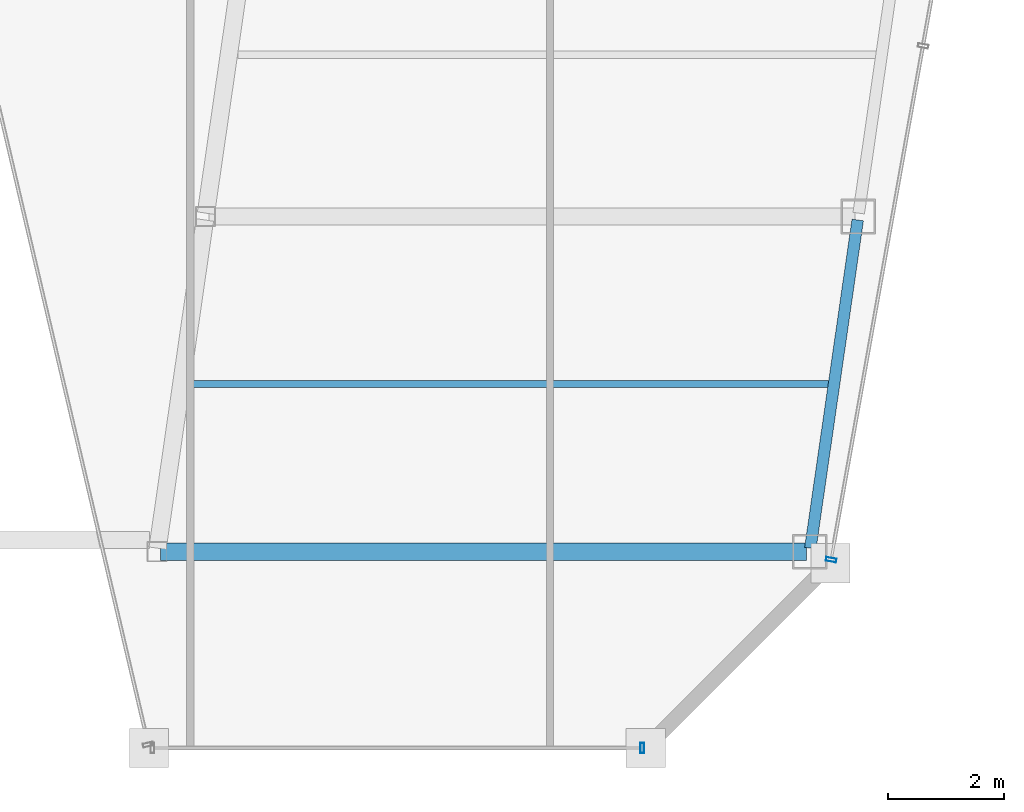
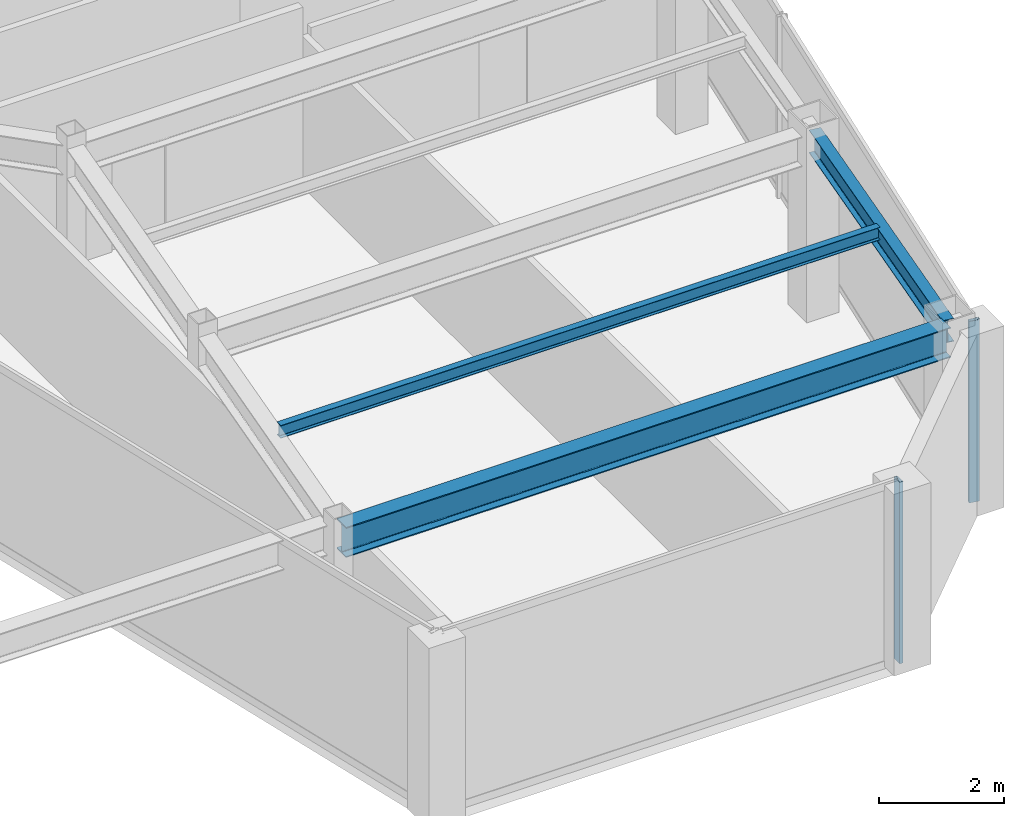
# One storey, part 14 of 32: 3 beams, 2 members, 2 elements without a shape of their own.
"""IFC4 building model written with IfcOpenShell, lengths in metres."""

from ifc_helpers import new_model, si_unit, direction, frame, origin, origin_2d, place, context, subcontext, project, spatial, hollow_rectangle, i_section, extrude, material, material_profile, profile_set, type_object, element, aggregate, save


model = new_model("IFC4")

# Units and contexts
model_context = context("Model", 3, precision=1e-05, world=origin(), true_north=direction((0.0, 1.0)))
body_context = subcontext(model_context, "Body", "Model", "MODEL_VIEW")
ifc_project = project(units=[si_unit("LENGTHUNIT", "METRE"), si_unit("AREAUNIT", "SQUARE_METRE"), si_unit("VOLUMEUNIT", "CUBIC_METRE"), si_unit("PLANEANGLEUNIT", "RADIAN"), si_unit("MASSUNIT", "GRAM", prefix="KILO")], contexts=[model_context])

# Site, building, storey
site_placement = place(None, origin())
site = spatial("IfcSite", under=ifc_project, at=site_placement, CompositionType="ELEMENT")
building_placement = place(site_placement, origin())
building = spatial("IfcBuilding", under=site, at=building_placement, Name="Saevonmaru Cultural Tower", CompositionType="ELEMENT")
storey_placement = place(building_placement, frame((0.0, 0.0, 261.0)))
storey = spatial("IfcBuildingStorey", under=building, at=storey_placement, Name="L61", CompositionType="ELEMENT", Elevation=261.0)

# Beams
ifc_material_1 = material(Name="Steel SM355", Category="steel")
ifc_material_profile_1 = material_profile(ifc_material_1, i_section(OverallWidth=0.300048828125, OverallDepth=0.587890625, WebThickness=0.011962890625, FlangeThickness=0.02001953125, FilletRadius=0.02392578125, at=origin_2d()), Name="H-588x300x12x20")
ifc_profile_set_1 = profile_set([ifc_material_profile_1], Name="Steel SM355")
beam_type_1 = type_object("IfcBeamType", Name="BM-G-H588", PredefinedType="BEAM", material=ifc_profile_set_1)
beam_1_placement = place(storey_placement, frame((39.60595703125, 26.199951171875, 3.256103515625), z_axis=(1.0, 0.0, 0.0), x_axis=(0.0, 1.0, 0.0)))
element("IfcBeam", 1, at=beam_1_placement, inside=storey, type_object=beam_type_1, Name="L61 East Wing Transverse Girder 1", PredefinedType="BEAM", context=body_context, shape_type="SweptSolid", body=[
    extrude(i_section(OverallWidth=0.300048828125, OverallDepth=0.587890625, WebThickness=0.011962890625, FlangeThickness=0.02001953125, FilletRadius=0.02392578125, at=origin_2d()), origin(), (0.0, 0.0, 1.0), 11.179931640625),
])
ifc_material_profile_2 = material_profile(ifc_material_1, i_section(OverallWidth=0.125, OverallDepth=0.25, WebThickness=0.006103515625, FlangeThickness=0.009033203125, FilletRadius=0.008056640625, at=origin_2d()), Name="H-250x125x6x9")
ifc_profile_set_2 = profile_set([ifc_material_profile_2], Name="Steel SM355")
beam_type_2 = type_object("IfcBeamType", Name="BM-J-H250", PredefinedType="JOIST", material=ifc_profile_set_2)
beam_2_placement = place(storey_placement, frame((40.12255859375, 29.10009765625, 3.425048828125), z_axis=(1.0, 0.0, 0.0), x_axis=(0.0, 1.0, 0.0)))
element("IfcBeam", 2, at=beam_2_placement, inside=storey, type_object=beam_type_2, Name="L61 East Wing Floor Joist 1", PredefinedType="JOIST", context=body_context, shape_type="SweptSolid", body=[
    extrude(i_section(OverallWidth=0.125, OverallDepth=0.25, WebThickness=0.006103515625, FlangeThickness=0.009033203125, FilletRadius=0.008056640625, at=origin_2d()), origin(), (0.0, 0.0, 1.0), 11.08203125),
])
ifc_material_profile_3 = material_profile(ifc_material_1, i_section(OverallWidth=0.199951171875, OverallDepth=0.449951171875, WebThickness=0.009033203125, FlangeThickness=0.013916015625, FilletRadius=0.01806640625, at=origin_2d()), Name="H-450x200x9x14")
ifc_profile_set_3 = profile_set([ifc_material_profile_3], Name="Steel SM355")
beam_type_3 = type_object("IfcBeamType", Name="BM-SP-H450", PredefinedType="SPANDREL", material=ifc_profile_set_3)
beam_3_placement = place(storey_placement, frame((50.8544921875, 26.259521484375, 3.324951171875), z_axis=(0.142826510921, 0.989747739466, 0.0), x_axis=(-0.989747739466, 0.142826510921, 0.0)))
element("IfcBeam", 3, at=beam_3_placement, inside=storey, type_object=beam_type_3, Name="L61 East Splayed Spandrel 1", PredefinedType="SPANDREL", context=body_context, shape_type="SweptSolid", body=[
    extrude(i_section(OverallWidth=0.199951171875, OverallDepth=0.449951171875, WebThickness=0.009033203125, FlangeThickness=0.013916015625, FilletRadius=0.01806640625, at=origin_2d()), origin(), (0.0, 0.0, 1.0), 5.739990234375),
])

# Curtain wall, member
ifc_material_2 = material(Name="Satin Bronze Anodised Aluminium", Category="aluminium")
curtain_wall_type = type_object("IfcCurtainWallType", Name="CW-TYP-B", PredefinedType="NOTDEFINED", material=ifc_material_2)
curtain_wall_1_placement = place(storey_placement, origin())
curtain_wall_1 = element("IfcCurtainWall", 4, at=curtain_wall_1_placement, inside=storey, type_object=curtain_wall_type, Name="L61 Unitised Curtain Wall E6", PredefinedType="NOTDEFINED")
ifc_material_profile_4 = material_profile(ifc_material_2, hollow_rectangle(XDim=0.06494140625, YDim=0.179931640625, WallThickness=0.00390625, at=origin_2d()), Name="ALU-MULL-180x65x4")
ifc_profile_set_4 = profile_set([ifc_material_profile_4], Name="Satin Bronze Anodised Aluminium")
member_type = type_object("IfcMemberType", Name="ML-CW-180x65", PredefinedType="MULLION", material=ifc_profile_set_4)
member_1_placement = place(storey_placement, frame((47.9443359375, 22.800048828125, 0.0), z_axis=(0.0, 0.0, 1.0), x_axis=(1.0, 0.0, 0.0)))
member_1 = element("IfcMember", 5, at=member_1_placement, type_object=member_type, Name="CW-TW-L61-E6 mullion 2", PredefinedType="MULLION", context=body_context, shape_type="SweptSolid", body=[
    extrude(hollow_rectangle(XDim=0.06494140625, YDim=0.179931640625, WallThickness=0.00390625, at=origin_2d()), origin(), (0.0, 0.0, 1.0), 3.550048828125),
])
aggregate(curtain_wall_1, [member_1])

curtain_wall_2_placement = place(storey_placement, origin())
curtain_wall_2 = element("IfcCurtainWall", 6, at=curtain_wall_2_placement, inside=storey, type_object=curtain_wall_type, Name="L61 Unitised Curtain Wall E8", PredefinedType="NOTDEFINED")
member_2_placement = place(storey_placement, frame((51.215087890625, 26.05908203125, 0.0), z_axis=(0.0, 0.0, 1.0), x_axis=(0.176140740755, 0.984364993001, 0.0)))
member_2 = element("IfcMember", 7, at=member_2_placement, type_object=member_type, Name="CW-TW-L61-E8 mullion 1", PredefinedType="MULLION", context=body_context, shape_type="SweptSolid", body=[
    extrude(hollow_rectangle(XDim=0.06494140625, YDim=0.179931640625, WallThickness=0.00390625, at=origin_2d()), origin(), (0.0, 0.0, 1.0), 3.550048828125),
])
aggregate(curtain_wall_2, [member_2])

save(model, "model.ifc")
